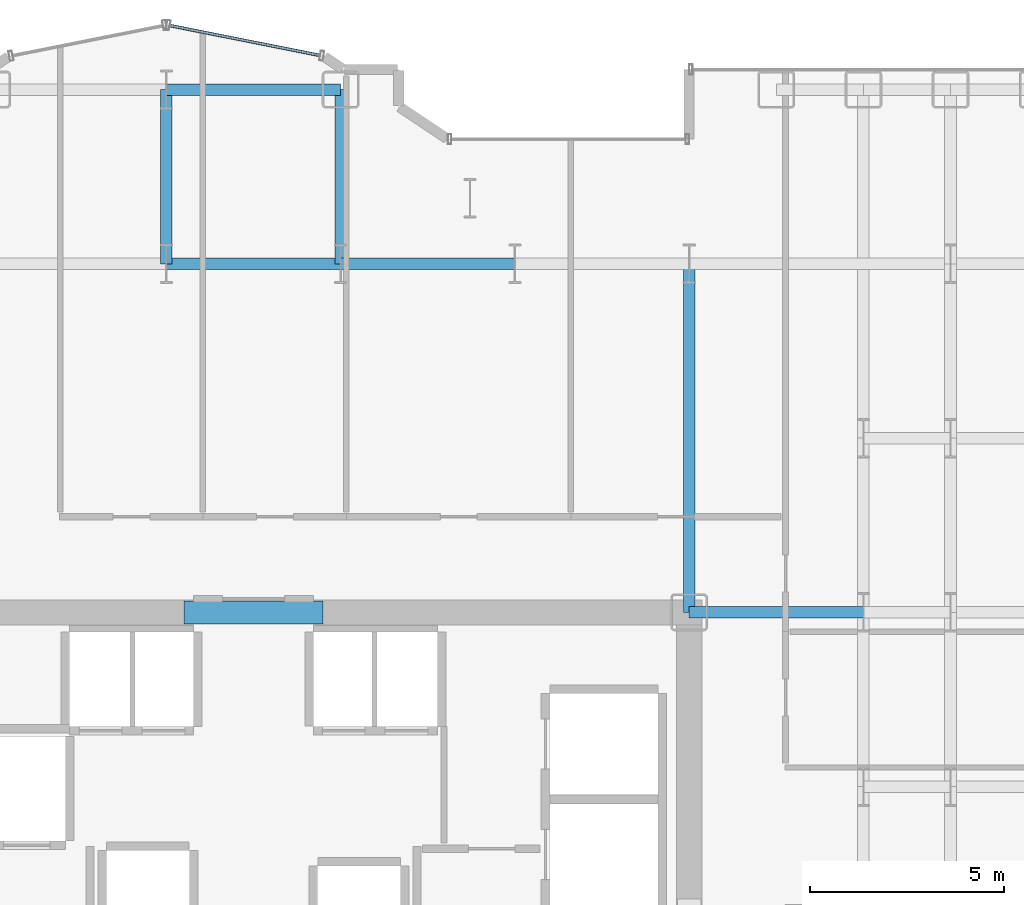
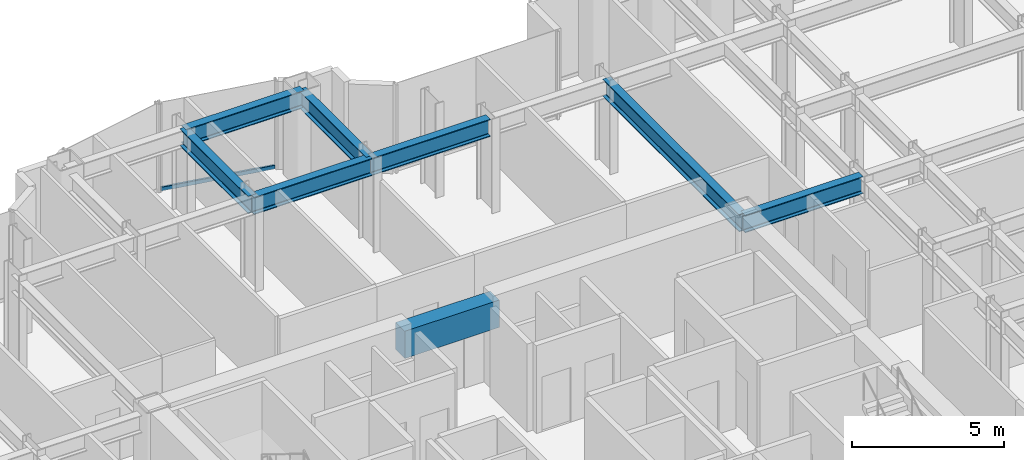
# One storey, part 11 of 26: 8 beams, 1 member, 1 element without a shape of its own.
"""IFC4 building model written with IfcOpenShell, lengths in metres."""

import ifcopenshell
import ifcopenshell.guid

model = None  # the IFC model being written
_history = None  # IfcOwnerHistory: only IFC2X3 demands one
_inside = {}  # id of a spatial element -> (the spatial element, [elements in it])
_under = {}  # id of a project, library or spatial element -> (it, [spatial elements below it])
_declared = {}  # id of a project -> (the project, [libraries it declares])
_typed = {}  # id of a type object -> (the type object, [elements of that type])
_made_of = {}  # id of a material, layer set ... -> (it, [elements and type objects made of it])


def new_model(schema):
    """Start an empty IFC model of exactly this schema.

    Asked for "IFC4X3", IfcOpenShell would pick the latest addendum, in which some entities
    have other attributes; the version numbers below select the first issue.
    IFC2X3 requires an IfcOwnerHistory on every rooted entity: one is made here for all.
    """
    global model, _history
    if schema == "IFC4X3":
        model = ifcopenshell.file(schema_version=(4, 3, 0, 0))
    else:
        model = ifcopenshell.file(schema=schema)
    _inside.clear()
    _under.clear()
    _declared.clear()
    _typed.clear()
    _made_of.clear()
    _history = None
    if model.schema == "IFC2X3":
        org = make("IfcOrganization", Name="unknown")
        user = make(
            "IfcPersonAndOrganization",
            ThePerson=make("IfcPerson", FamilyName="unknown"),
            TheOrganization=org,
        )
        app = make(
            "IfcApplication",
            ApplicationDeveloper=org,
            Version="unknown",
            ApplicationFullName="unknown",
            ApplicationIdentifier="unknown",
        )
        _history = make(
            "IfcOwnerHistory",
            OwningUser=user,
            OwningApplication=app,
            ChangeAction="ADDED",
            CreationDate=0,
        )
    return model


def make(cls, **values):
    """One entity of the class cls with the attributes given. An attribute that is None is left unset."""
    return model.create_entity(
        cls, **{name: value for name, value in values.items() if value is not None}
    )


def rooted(cls, **values):
    """An entity with a GlobalId (a new one), such as an element, a storey or a relation."""
    return make(cls, GlobalId=ifcopenshell.guid.new(), OwnerHistory=_history, **values)


def si_unit(unit_type, name, prefix=None):
    """IfcSIUnit, for example si_unit("LENGTHUNIT", "METRE", prefix="MILLI")."""
    return make("IfcSIUnit", UnitType=unit_type, Prefix=prefix, Name=name)


def assignment(units):
    """IfcUnitAssignment: the units of a project."""
    return None if units is None else make("IfcUnitAssignment", Units=units)


def point(xyz):
    """IfcCartesianPoint."""
    return None if xyz is None else make("IfcCartesianPoint", Coordinates=xyz)


def direction(xyz):
    """IfcDirection."""
    return None if xyz is None else make("IfcDirection", DirectionRatios=xyz)


def frame(location, z_axis=None, x_axis=None):
    """IfcAxis2Placement3D, a coordinate frame: its origin and axes. An axis left out is left unset."""
    return make(
        "IfcAxis2Placement3D",
        Location=point(location),
        Axis=direction(z_axis),
        RefDirection=direction(x_axis),
    )


def frame_2d(location, x_axis=None):
    """IfcAxis2Placement2D, a coordinate frame in the plane: its origin and x axis."""
    return make(
        "IfcAxis2Placement2D", Location=point(location), RefDirection=direction(x_axis)
    )


def origin():
    """The frame at (0, 0, 0) with its axes left unset."""
    return frame((0.0, 0.0, 0.0))


def origin_2d():
    """The frame at (0, 0) in the plane with its x axis left unset."""
    return frame_2d((0.0, 0.0))


def place(relative_to, where):
    """IfcLocalPlacement: puts the frame where relative to a parent placement (None: the world)."""
    return make(
        "IfcLocalPlacement", PlacementRelTo=relative_to, RelativePlacement=where
    )


def context(
    kind, dimensions, precision=None, world=None, true_north=None, identifier=None
):
    """IfcGeometricRepresentationContext, for example the 3D "Model" context."""
    return make(
        "IfcGeometricRepresentationContext",
        ContextIdentifier=identifier,
        ContextType=kind,
        CoordinateSpaceDimension=dimensions,
        Precision=precision,
        WorldCoordinateSystem=world,
        TrueNorth=true_north,
    )


def subcontext(parent, identifier, kind, view, scale=None):
    """IfcGeometricRepresentationSubContext, for example "Body" below "Model"."""
    return make(
        "IfcGeometricRepresentationSubContext",
        ContextIdentifier=identifier,
        ContextType=kind,
        ParentContext=parent,
        TargetScale=scale,
        TargetView=view,
    )


def project(units=None, contexts=None):
    """IfcProject with its units and contexts."""
    return rooted(
        "IfcProject",
        Name="project",
        RepresentationContexts=contexts,
        UnitsInContext=assignment(units),
    )


def spatial(cls, under=None, at=None, **own):
    """A site, building, storey or space (cls), placed at a placement, below another one or the project."""
    s = rooted(cls, ObjectPlacement=at, **own)
    if under is not None:
        _under.setdefault(under.id(), (under, []))[1].append(s)
    return s


def profile(cls, at=None, kind="AREA", **sizes):
    """A parametric profile (cls). Its sizes go by their IFC names, for example OverallWidth=200.0."""
    return make(cls, ProfileType=kind, Position=at, **sizes)


def rectangle(**sizes):
    """IfcRectangleProfileDef."""
    return profile("IfcRectangleProfileDef", **sizes)


def hollow_rectangle(**sizes):
    """IfcRectangleHollowProfileDef."""
    return profile("IfcRectangleHollowProfileDef", **sizes)


def i_section(**sizes):
    """IfcIShapeProfileDef."""
    return profile("IfcIShapeProfileDef", **sizes)


def extrude(swept, where, along, depth):
    """IfcExtrudedAreaSolid: the profile swept, set in the frame where, extruded along a direction by depth."""
    return make(
        "IfcExtrudedAreaSolid",
        SweptArea=swept,
        Position=where,
        ExtrudedDirection=direction(along),
        Depth=depth,
    )


def shape(context_of_items, identifier, shape_type, items):
    """IfcShapeRepresentation: the items that make up one representation, for example the "Body"."""
    return make(
        "IfcShapeRepresentation",
        ContextOfItems=context_of_items,
        RepresentationIdentifier=identifier,
        RepresentationType=shape_type,
        Items=items,
    )


def source(mapping_origin, context_of_items, identifier, shape_type, items):
    """IfcRepresentationMap: a shape defined once, which mapped items show again and again."""
    return make(
        "IfcRepresentationMap",
        MappingOrigin=mapping_origin,
        MappedRepresentation=shape(context_of_items, identifier, shape_type, items),
    )


def transform(
    local_origin,
    x_axis=None,
    y_axis=None,
    z_axis=None,
    scale=None,
    scale2=None,
    scale3=None,
    uniform=True,
):
    """IfcCartesianTransformationOperator3D, or its non-uniform kind. x_axis, y_axis, z_axis: its Axis1, 2, 3."""
    if uniform:
        return make(
            "IfcCartesianTransformationOperator3D",
            Axis1=direction(x_axis),
            Axis2=direction(y_axis),
            LocalOrigin=point(local_origin),
            Scale=scale,
            Axis3=direction(z_axis),
        )
    return make(
        "IfcCartesianTransformationOperator3DnonUniform",
        Axis1=direction(x_axis),
        Axis2=direction(y_axis),
        LocalOrigin=point(local_origin),
        Scale=scale,
        Axis3=direction(z_axis),
        Scale2=scale2,
        Scale3=scale3,
    )


def mapped(mapping_source, mapping_target):
    """IfcMappedItem: shows the shape of a source again, moved by a transform."""
    return make(
        "IfcMappedItem", MappingSource=mapping_source, MappingTarget=mapping_target
    )


def material(Name=None, Category=None):
    """IfcMaterial."""
    return make("IfcMaterial", Name=Name, Category=Category)


def layer(
    of_material, thickness, ventilated=None, Name=None, Category=None, Priority=None
):
    """IfcMaterialLayer: one layer of a wall or slab, of a material (None: an air gap)."""
    return make(
        "IfcMaterialLayer",
        Material=of_material,
        LayerThickness=thickness,
        IsVentilated=ventilated,
        Name=Name,
        Category=Category,
        Priority=Priority,
    )


def layer_set(layers, Name=None):
    """IfcMaterialLayerSet."""
    return make("IfcMaterialLayerSet", MaterialLayers=layers, LayerSetName=Name)


def material_profile(
    of_material, cross_section, Name=None, Category=None, Priority=None
):
    """IfcMaterialProfile: a cross section and its material."""
    return make(
        "IfcMaterialProfile",
        Name=Name,
        Material=of_material,
        Profile=cross_section,
        Priority=Priority,
        Category=Category,
    )


def profile_set(profiles, Name=None, composite=None):
    """IfcMaterialProfileSet."""
    return make(
        "IfcMaterialProfileSet",
        Name=Name,
        MaterialProfiles=profiles,
        CompositeProfile=composite,
    )


def made_of(thing, what):
    """Note that an element or type object is made of a material, layer set ...; save() writes the relation."""
    if what is not None:
        _made_of.setdefault(what.id(), (what, []))[1].append(thing)
    return thing


def type_object(cls, material=None, **own):
    """A type object (cls), such as IfcWallType, which elements share."""
    return made_of(rooted(cls, **own), material)


def element(
    cls,
    number,
    at=None,
    inside=None,
    cuts=None,
    type_object=None,
    material=None,
    context=None,
    identifier="Body",
    shape_type=None,
    held_by="IfcProductDefinitionShape",
    body=None,
    shapes=None,
    **own,
):
    """One element of the class cls, such as IfcWall. Its Tag is "e" and its number.

    at: its placement. inside: the storey or other place that contains it. cuts: it is an
    opening in that element (IfcRelVoidsElement). A single representation is given by context,
    identifier, shape_type and body (its items); several are given by shapes. held_by: the class
    of the entity that holds the representations. save() writes the other relations.
    """
    e = rooted(cls, Tag="e%d" % number, ObjectPlacement=at, **own)
    if body is not None:
        shapes = [shape(context, identifier, shape_type, body)]
    if shapes is not None:
        e.Representation = make(held_by, Representations=shapes)
    if inside is not None:
        _inside.setdefault(inside.id(), (inside, []))[1].append(e)
    if cuts is not None:
        rooted(
            "IfcRelVoidsElement", RelatingBuildingElement=cuts, RelatedOpeningElement=e
        )
    if type_object is not None:
        _typed.setdefault(type_object.id(), (type_object, []))[1].append(e)
    return made_of(e, material)


def aggregate(whole, parts):
    """IfcRelAggregates: a whole, such as a stair, and the parts it consists of."""
    return rooted("IfcRelAggregates", RelatingObject=whole, RelatedObjects=parts)


def save(model, path):
    """Write the relations noted so far, then the file.

    IfcRelAggregates (storeys below a building ...), IfcRelContainedInSpatialStructure (elements
    in a storey), IfcRelDefinesByType, IfcRelAssociatesMaterial and IfcRelDeclares: one each for
    every whole, place, type object, material and project.
    """
    for whole, parts in _under.values():
        aggregate(whole, parts)
    for where, things in _inside.values():
        rooted(
            "IfcRelContainedInSpatialStructure",
            RelatedElements=things,
            RelatingStructure=where,
        )
    for kind, things in _typed.values():
        rooted("IfcRelDefinesByType", RelatedObjects=things, RelatingType=kind)
    for what, things in _made_of.values():
        rooted("IfcRelAssociatesMaterial", RelatedObjects=things, RelatingMaterial=what)
    for by, libraries in _declared.values():
        rooted("IfcRelDeclares", RelatingContext=by, RelatedDefinitions=libraries)
    model.write(path)


model = new_model("IFC4")

# Units and contexts
model_context = context("Model", 3, precision=1e-05, world=origin(), true_north=direction((0.0, 1.0)))
body_context = subcontext(model_context, "Body", "Model", "MODEL_VIEW")
ifc_project = project(units=[si_unit("LENGTHUNIT", "METRE"), si_unit("AREAUNIT", "SQUARE_METRE"), si_unit("VOLUMEUNIT", "CUBIC_METRE"), si_unit("PLANEANGLEUNIT", "RADIAN"), si_unit("MASSUNIT", "GRAM", prefix="KILO")], contexts=[model_context])

# Site, building, storey
site_placement = place(None, origin())
site = spatial("IfcSite", under=ifc_project, at=site_placement, CompositionType="ELEMENT")
building_placement = place(site_placement, origin())
building = spatial("IfcBuilding", under=site, at=building_placement, Name="Nefas-Gora Pilgrimage Tower", CompositionType="ELEMENT")
storey_placement = place(building_placement, frame((0.0, 0.0, 40.60009765625)))
storey = spatial("IfcBuildingStorey", under=building, at=storey_placement, Name="L08", CompositionType="ELEMENT", Elevation=40.60009765625)

# Beams
ifc_material_1 = material(Name="Concrete C60/75", Category="concrete")
ifc_material_profile_1 = material_profile(ifc_material_1, rectangle(XDim=0.60009765625, YDim=1.10009765625, at=origin_2d()), Name="RC 600x1100")
ifc_profile_set_1 = profile_set([ifc_material_profile_1], Name="Concrete C60/75")
beam_type_1 = type_object("IfcBeamType", Name="BM-LIN-RC1100", PredefinedType="LINTEL", material=ifc_profile_set_1)
shared_shape_1 = source(origin(), body_context, "Body", "SweptSolid", [
    extrude(rectangle(XDim=0.60009765625, YDim=1.10009765625, at=origin_2d()), origin(), (0.0, 0.0, 1.0), 3.60009765625),
])
beam_1_placement = place(storey_placement, frame((-1.800048828125, 9.0, 3.0), z_axis=(1.0, 0.0, 0.0), x_axis=(0.0, 1.0, 0.0)))
element("IfcBeam", 1, at=beam_1_placement, inside=storey, type_object=beam_type_1, Name="L08 Core Coupling Lintel Beam N", PredefinedType="LINTEL", context=body_context, shape_type="MappedRepresentation", body=[
    mapped(shared_shape_1, transform((0.0, 0.0, 0.0), x_axis=(1.0, 0.0, 0.0), y_axis=(0.0, 1.0, 0.0), z_axis=(0.0, 0.0, 1.0), scale=1.0)),
])
ifc_material_2 = material(Name="Steel S355", Category="steel")
ifc_material_profile_2 = material_profile(ifc_material_2, i_section(OverallWidth=0.300048828125, OverallDepth=0.699951171875, WebThickness=0.01708984375, FlangeThickness=0.031982421875, FilletRadius=0.027099609375, at=origin_2d()), Name="HEB 700")
ifc_profile_set_2 = profile_set([ifc_material_profile_2], Name="Steel S355")
beam_type_2 = type_object("IfcBeamType", Name="BM-GIR-HEB700", PredefinedType="BEAM", material=ifc_profile_set_2)
shared_shape_2 = source(origin(), body_context, "Body", "SweptSolid", [
    extrude(i_section(OverallWidth=0.300048828125, OverallDepth=0.699951171875, WebThickness=0.01708984375, FlangeThickness=0.031982421875, FilletRadius=0.027099609375, at=origin_2d()), origin(), (0.0, 0.0, 1.0), 9.0),
])
beam_2_placement = place(storey_placement, frame((11.25, 9.0, 3.199951171875), z_axis=(0.0, 1.0, 0.0), x_axis=(-1.0, 0.0, 0.0)))
element("IfcBeam", 2, at=beam_2_placement, inside=storey, type_object=beam_type_2, Name="L08 G-02 beam", PredefinedType="BEAM", context=body_context, shape_type="MappedRepresentation", body=[
    mapped(shared_shape_2, transform((0.0, 0.0, 0.0), x_axis=(1.0, 0.0, 0.0), y_axis=(0.0, 1.0, 0.0), z_axis=(0.0, 0.0, 1.0), scale=1.0)),
])
shared_shape_3 = source(origin(), body_context, "Body", "SweptSolid", [
    extrude(i_section(OverallWidth=0.300048828125, OverallDepth=0.699951171875, WebThickness=0.01708984375, FlangeThickness=0.031982421875, FilletRadius=0.027099609375, at=origin_2d()), origin(), (0.0, 0.0, 1.0), 4.5),
])
for number, where, z_axis, x_axis, name in (
    (3, (-2.25, 18.0, 3.199951171875), (0.0, 1.0, 0.0), (-1.0, 0.0, 0.0), "L08 G-02 beam"),
    (4, (-2.25, 18.0, 3.199951171875), (1.0, 0.0, 0.0), (0.0, 1.0, 0.0), "L08 G-02 beam"),
    (5, (-2.25, 22.5, 3.199951171875), (1.0, 0.0, 0.0), (0.0, 1.0, 0.0), "L08 G-02 beam"),
    (6, (2.25, 18.0, 3.199951171875), (0.0, 1.0, 0.0), (-1.0, 0.0, 0.0), "L08 G-02 beam"),
    (7, (2.25, 18.0, 3.199951171875), (1.0, 0.0, 0.0), (0.0, 1.0, 0.0), "L08 G-02 beam"),
    (8, (11.25, 9.0, 3.199951171875), (1.0, 0.0, 0.0), (0.0, 1.0, 0.0), "L08 G-02 beam"),
):
    element("IfcBeam", number, at=place(storey_placement, frame(where, z_axis=z_axis, x_axis=x_axis)), inside=storey, type_object=beam_type_2, Name=name, PredefinedType="BEAM", context=body_context, shape_type="MappedRepresentation", body=[
        mapped(shared_shape_3, transform((0.0, 0.0, 0.0), x_axis=(1.0, 0.0, 0.0), y_axis=(0.0, 1.0, 0.0), z_axis=(0.0, 0.0, 1.0), scale=1.0)),
    ])

# Curtain wall, member
ifc_material_3 = material(Name="Dark ceramic-fritted solar-control aluminium-glass curtain wall", Category="aluminium")
ifc_layer = layer(ifc_material_3, 0.219970703125)
ifc_layer_set = layer_set([ifc_layer], Name="Dark ceramic-fritted solar-control aluminium-glass curtain wall")
curtain_wall_type = type_object("IfcCurtainWallType", Name="CW-SYS-5", PredefinedType="NOTDEFINED", material=ifc_layer_set)
curtain_wall_placement = place(storey_placement, origin())
curtain_wall = element("IfcCurtainWall", 9, at=curtain_wall_placement, inside=storey, type_object=curtain_wall_type, Name="L08 Unitised Curtain Wall CW5", PredefinedType="NOTDEFINED")
ifc_material_4 = material(Name="Anodised architectural aluminium", Category="aluminium")
ifc_material_profile_3 = material_profile(ifc_material_4, hollow_rectangle(XDim=0.080078125, YDim=0.159912109375, WallThickness=0.00439453125, InnerFilletRadius=0.00439453125, OuterFilletRadius=0.009033203125, at=origin_2d()), Name="ALU TRANSOM 80x160")
ifc_profile_set_3 = profile_set([ifc_material_profile_3], Name="Anodised architectural aluminium")
member_type = type_object("IfcMemberType", Name="CWM-TRN-5", PredefinedType="USERDEFINED", material=ifc_profile_set_3)
shared_shape_4 = source(origin(), body_context, "Body", "SweptSolid", [
    extrude(hollow_rectangle(XDim=0.080078125, YDim=0.159912109375, WallThickness=0.00439453125, InnerFilletRadius=0.00439453125, OuterFilletRadius=0.009033203125, at=origin_2d()), origin(), (0.0, 0.0, 1.0), 3.95654296875),
])
member_placement = place(storey_placement, frame((1.718994140625, 23.3828125, 0.0498046875), z_axis=(-0.980781880918, 0.195107411605, 0.0), x_axis=(-0.195107411605, -0.980781880918, 0.0)))
member = element("IfcMember", 10, at=member_placement, type_object=member_type, Name="CW5 Spandrel Transom", ObjectType="TRANSOM", PredefinedType="USERDEFINED", context=body_context, shape_type="MappedRepresentation", body=[
    mapped(shared_shape_4, transform((0.0, 0.0, 0.0), x_axis=(1.0, 0.0, 0.0), y_axis=(0.0, 1.0, 0.0), z_axis=(0.0, 0.0, 1.0), scale=1.0)),
])
aggregate(curtain_wall, [member])

save(model, "model.ifc")
